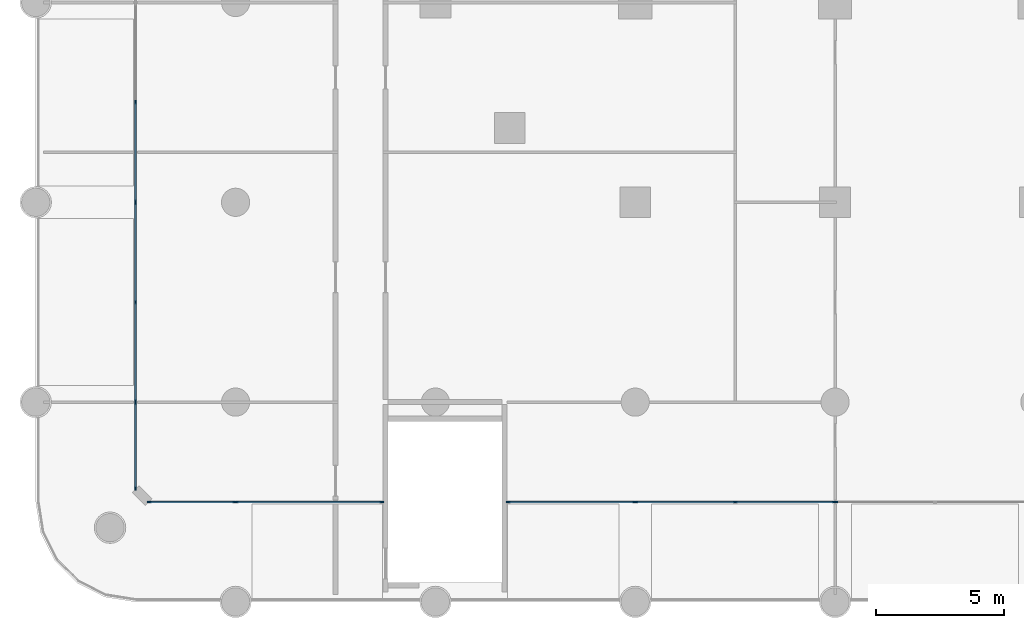
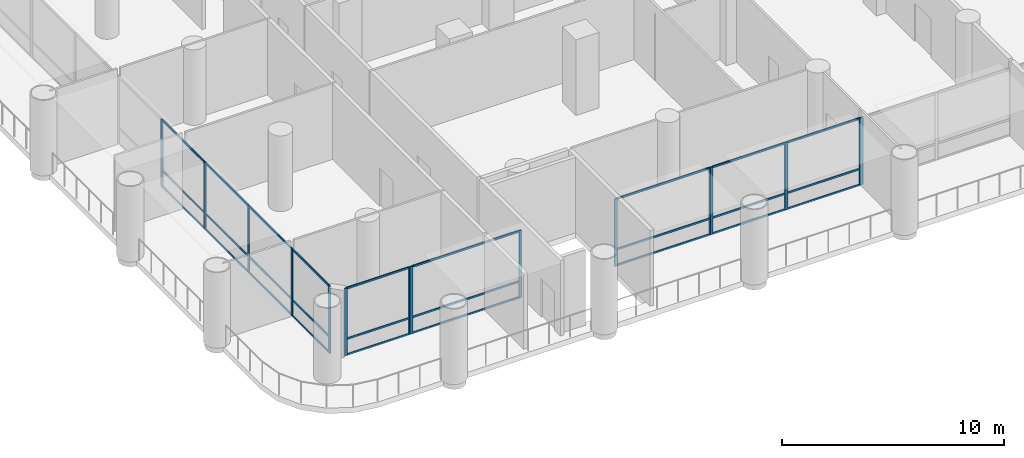
# One storey, part 2 of 23: 44 members, 8 elements without a shape of their own.
"""IFC4 building model written with IfcOpenShell, lengths in metres."""

from ifc_helpers import new_model, si_unit, direction, frame, origin, origin_2d, place, context, subcontext, project, spatial, rectangle, extrude, material, material_profile, profile_set, type_object, element, aggregate, save


model = new_model("IFC4")

# Units and contexts
model_context = context("Model", 3, precision=1e-05, world=origin(), true_north=direction((0.0, 1.0)))
body_context = subcontext(model_context, "Body", "Model", "MODEL_VIEW")
ifc_project = project(units=[si_unit("LENGTHUNIT", "METRE"), si_unit("AREAUNIT", "SQUARE_METRE"), si_unit("VOLUMEUNIT", "CUBIC_METRE"), si_unit("PLANEANGLEUNIT", "RADIAN"), si_unit("MASSUNIT", "GRAM", prefix="KILO")], contexts=[model_context])

# Site, building, storey
site_placement = place(None, origin())
site = spatial("IfcSite", under=ifc_project, at=site_placement, CompositionType="ELEMENT")
building_placement = place(site_placement, origin())
building = spatial("IfcBuilding", under=site, at=building_placement, Name="Ludao Terraces", CompositionType="ELEMENT")
storey_placement = place(building_placement, frame((0.0, 0.0, 10.5)))
storey = spatial("IfcBuildingStorey", under=building, at=storey_placement, Name="L02", CompositionType="ELEMENT", Elevation=10.5)

# Curtain wall, members
ifc_material_1 = material(Name="Aluminium curtain wall with fritted glass", Category="aluminium")
curtain_wall_type = type_object("IfcCurtainWallType", Name="ENV CW1 podium glazing", PredefinedType="NOTDEFINED", material=ifc_material_1)
curtain_wall_1_placement = place(storey_placement, origin())
curtain_wall_1 = element("IfcCurtainWall", 1, at=curtain_wall_1_placement, inside=storey, type_object=curtain_wall_type, Name="CW-L02-S1", PredefinedType="NOTDEFINED")
ifc_material_2 = material(Name="Aluminium 6063-T6", Category="aluminium")
ifc_material_profile_1 = material_profile(ifc_material_2, rectangle(XDim=0.06005859375, YDim=0.14990234375, at=origin_2d()), Name="60 X 150")
ifc_profile_set_1 = profile_set([ifc_material_profile_1], Name="Aluminium 6063-T6")
member_type_1 = type_object("IfcMemberType", Name="ENV CW1 mullion 60x150", PredefinedType="MULLION", material=ifc_profile_set_1)
member_1_placement = place(storey_placement, frame((50.429931640625, 29.89990234375, 0.0), z_axis=(0.0, 0.0, 1.0), x_axis=(0.0, 1.0, 0.0)))
member_1 = element("IfcMember", 2, at=member_1_placement, type_object=member_type_1, Name="CW1 mullion 1", PredefinedType="MULLION", context=body_context, shape_type="SweptSolid", body=[
    extrude(rectangle(XDim=0.06005859375, YDim=0.14990234375, at=origin_2d()), origin(), (0.0, 0.0, 1.0), 3.699951171875),
])
member_2_placement = place(storey_placement, frame((53.77001953125, 29.89990234375, 0.0), z_axis=(0.0, 0.0, 1.0), x_axis=(0.0, 1.0, 0.0)))
member_2 = element("IfcMember", 3, at=member_2_placement, type_object=member_type_1, Name="CW1 mullion 2", PredefinedType="MULLION", context=body_context, shape_type="SweptSolid", body=[
    extrude(rectangle(XDim=0.06005859375, YDim=0.14990234375, at=origin_2d()), origin(), (0.0, 0.0, 1.0), 3.699951171875),
])

curtain_wall_2_placement = place(storey_placement, origin())
curtain_wall_2 = element("IfcCurtainWall", 4, at=curtain_wall_2_placement, inside=storey, type_object=curtain_wall_type, Name="CW-L02-S2", PredefinedType="NOTDEFINED")
member_3_placement = place(storey_placement, frame((53.830078125, 29.89990234375, 0.0), z_axis=(0.0, 0.0, 1.0), x_axis=(0.0, 1.0, 0.0)))
member_3 = element("IfcMember", 5, at=member_3_placement, type_object=member_type_1, Name="CW1 mullion 1", PredefinedType="MULLION", context=body_context, shape_type="SweptSolid", body=[
    extrude(rectangle(XDim=0.06005859375, YDim=0.14990234375, at=origin_2d()), origin(), (0.0, 0.0, 1.0), 3.699951171875),
])
member_4_placement = place(storey_placement, frame((59.5, 29.89990234375, 0.0), z_axis=(0.0, 0.0, 1.0), x_axis=(0.0, 1.0, 0.0)))
member_4 = element("IfcMember", 6, at=member_4_placement, type_object=member_type_1, Name="CW1 mullion 2", PredefinedType="MULLION", context=body_context, shape_type="SweptSolid", body=[
    extrude(rectangle(XDim=0.06005859375, YDim=0.14990234375, at=origin_2d()), origin(), (0.0, 0.0, 1.0), 3.699951171875),
])

curtain_wall_3_placement = place(storey_placement, origin())
curtain_wall_3 = element("IfcCurtainWall", 7, at=curtain_wall_3_placement, inside=storey, type_object=curtain_wall_type, Name="CW-L02-S3", PredefinedType="NOTDEFINED")
member_5_placement = place(storey_placement, frame((64.449951171875, 29.89990234375, 0.0), z_axis=(0.0, 0.0, 1.0), x_axis=(0.0, 1.0, 0.0)))
member_5 = element("IfcMember", 8, at=member_5_placement, type_object=member_type_1, Name="CW1 mullion 1", PredefinedType="MULLION", context=body_context, shape_type="SweptSolid", body=[
    extrude(rectangle(XDim=0.06005859375, YDim=0.14990234375, at=origin_2d()), origin(), (0.0, 0.0, 1.0), 3.699951171875),
])
member_6_placement = place(storey_placement, frame((69.3701171875, 29.89990234375, 0.0), z_axis=(0.0, 0.0, 1.0), x_axis=(0.0, 1.0, 0.0)))
member_6 = element("IfcMember", 9, at=member_6_placement, type_object=member_type_1, Name="CW1 mullion 2", PredefinedType="MULLION", context=body_context, shape_type="SweptSolid", body=[
    extrude(rectangle(XDim=0.06005859375, YDim=0.14990234375, at=origin_2d()), origin(), (0.0, 0.0, 1.0), 3.699951171875),
])

curtain_wall_4_placement = place(storey_placement, origin())
curtain_wall_4 = element("IfcCurtainWall", 10, at=curtain_wall_4_placement, inside=storey, type_object=curtain_wall_type, Name="CW-L02-S4", PredefinedType="NOTDEFINED")
member_7_placement = place(storey_placement, frame((69.429931640625, 29.89990234375, 0.0), z_axis=(0.0, 0.0, 1.0), x_axis=(0.0, 1.0, 0.0)))
member_7 = element("IfcMember", 11, at=member_7_placement, type_object=member_type_1, Name="CW1 mullion 1", PredefinedType="MULLION", context=body_context, shape_type="SweptSolid", body=[
    extrude(rectangle(XDim=0.06005859375, YDim=0.14990234375, at=origin_2d()), origin(), (0.0, 0.0, 1.0), 3.699951171875),
])
member_8_placement = place(storey_placement, frame((73.300048828125, 29.89990234375, 0.0), z_axis=(0.0, 0.0, 1.0), x_axis=(0.0, 1.0, 0.0)))
member_8 = element("IfcMember", 12, at=member_8_placement, type_object=member_type_1, Name="CW1 mullion 2", PredefinedType="MULLION", context=body_context, shape_type="SweptSolid", body=[
    extrude(rectangle(XDim=0.06005859375, YDim=0.14990234375, at=origin_2d()), origin(), (0.0, 0.0, 1.0), 3.699951171875),
])
member_9_placement = place(storey_placement, frame((77.169921875, 29.89990234375, 0.0), z_axis=(0.0, 0.0, 1.0), x_axis=(0.0, 1.0, 0.0)))
member_9 = element("IfcMember", 13, at=member_9_placement, type_object=member_type_1, Name="CW1 mullion 3", PredefinedType="MULLION", context=body_context, shape_type="SweptSolid", body=[
    extrude(rectangle(XDim=0.06005859375, YDim=0.14990234375, at=origin_2d()), origin(), (0.0, 0.0, 1.0), 3.699951171875),
])

# Curtain wall, member
curtain_wall_5_placement = place(storey_placement, origin())
curtain_wall_5 = element("IfcCurtainWall", 14, at=curtain_wall_5_placement, inside=storey, type_object=curtain_wall_type, Name="CW-L02-S5", PredefinedType="NOTDEFINED")
member_10_placement = place(storey_placement, frame((77.22998046875, 29.89990234375, 0.0), z_axis=(0.0, 0.0, 1.0), x_axis=(0.0, 1.0, 0.0)))
member_10 = element("IfcMember", 15, at=member_10_placement, type_object=member_type_1, Name="CW1 mullion 1", PredefinedType="MULLION", context=body_context, shape_type="SweptSolid", body=[
    extrude(rectangle(XDim=0.06005859375, YDim=0.14990234375, at=origin_2d()), origin(), (0.0, 0.0, 1.0), 3.699951171875),
])
aggregate(curtain_wall_5, [member_10])

# Curtain wall, members
curtain_wall_6_placement = place(storey_placement, origin())
curtain_wall_6 = element("IfcCurtainWall", 16, at=curtain_wall_6_placement, inside=storey, type_object=curtain_wall_type, Name="CW-L02-W1", PredefinedType="NOTDEFINED")
member_11_placement = place(storey_placement, frame((49.89990234375, 30.429931640625, 0.0), z_axis=(0.0, 0.0, 1.0), x_axis=(-1.0, 0.0, 0.0)))
member_11 = element("IfcMember", 17, at=member_11_placement, type_object=member_type_1, Name="CW1 mullion 1", PredefinedType="MULLION", context=body_context, shape_type="SweptSolid", body=[
    extrude(rectangle(XDim=0.06005859375, YDim=0.14990234375, at=origin_2d()), origin(), (0.0, 0.0, 1.0), 3.699951171875),
])
member_12_placement = place(storey_placement, frame((49.89990234375, 33.77001953125, 0.0), z_axis=(0.0, 0.0, 1.0), x_axis=(-1.0, 0.0, 0.0)))
member_12 = element("IfcMember", 18, at=member_12_placement, type_object=member_type_1, Name="CW1 mullion 2", PredefinedType="MULLION", context=body_context, shape_type="SweptSolid", body=[
    extrude(rectangle(XDim=0.06005859375, YDim=0.14990234375, at=origin_2d()), origin(), (0.0, 0.0, 1.0), 3.699951171875),
])

curtain_wall_7_placement = place(storey_placement, origin())
curtain_wall_7 = element("IfcCurtainWall", 19, at=curtain_wall_7_placement, inside=storey, type_object=curtain_wall_type, Name="CW-L02-W2", PredefinedType="NOTDEFINED")
member_13_placement = place(storey_placement, frame((49.89990234375, 33.830078125, 0.0), z_axis=(0.0, 0.0, 1.0), x_axis=(-1.0, 0.0, 0.0)))
member_13 = element("IfcMember", 20, at=member_13_placement, type_object=member_type_1, Name="CW1 mullion 1", PredefinedType="MULLION", context=body_context, shape_type="SweptSolid", body=[
    extrude(rectangle(XDim=0.06005859375, YDim=0.14990234375, at=origin_2d()), origin(), (0.0, 0.0, 1.0), 3.699951171875),
])
member_14_placement = place(storey_placement, frame((49.89990234375, 37.699951171875, 0.0), z_axis=(0.0, 0.0, 1.0), x_axis=(-1.0, 0.0, 0.0)))
member_14 = element("IfcMember", 21, at=member_14_placement, type_object=member_type_1, Name="CW1 mullion 2", PredefinedType="MULLION", context=body_context, shape_type="SweptSolid", body=[
    extrude(rectangle(XDim=0.06005859375, YDim=0.14990234375, at=origin_2d()), origin(), (0.0, 0.0, 1.0), 3.699951171875),
])
member_15_placement = place(storey_placement, frame((49.89990234375, 41.570068359375, 0.0), z_axis=(0.0, 0.0, 1.0), x_axis=(-1.0, 0.0, 0.0)))
member_15 = element("IfcMember", 22, at=member_15_placement, type_object=member_type_1, Name="CW1 mullion 3", PredefinedType="MULLION", context=body_context, shape_type="SweptSolid", body=[
    extrude(rectangle(XDim=0.06005859375, YDim=0.14990234375, at=origin_2d()), origin(), (0.0, 0.0, 1.0), 3.699951171875),
])

curtain_wall_8_placement = place(storey_placement, origin())
curtain_wall_8 = element("IfcCurtainWall", 23, at=curtain_wall_8_placement, inside=storey, type_object=curtain_wall_type, Name="CW-L02-W3", PredefinedType="NOTDEFINED")
member_16_placement = place(storey_placement, frame((49.89990234375, 41.6298828125, 0.0), z_axis=(0.0, 0.0, 1.0), x_axis=(-1.0, 0.0, 0.0)))
member_16 = element("IfcMember", 24, at=member_16_placement, type_object=member_type_1, Name="CW1 mullion 1", PredefinedType="MULLION", context=body_context, shape_type="SweptSolid", body=[
    extrude(rectangle(XDim=0.06005859375, YDim=0.14990234375, at=origin_2d()), origin(), (0.0, 0.0, 1.0), 3.699951171875),
])
member_17_placement = place(storey_placement, frame((49.89990234375, 45.5, 0.0), z_axis=(0.0, 0.0, 1.0), x_axis=(-1.0, 0.0, 0.0)))
member_17 = element("IfcMember", 25, at=member_17_placement, type_object=member_type_1, Name="CW1 mullion 2", PredefinedType="MULLION", context=body_context, shape_type="SweptSolid", body=[
    extrude(rectangle(XDim=0.06005859375, YDim=0.14990234375, at=origin_2d()), origin(), (0.0, 0.0, 1.0), 3.699951171875),
])

# Member
ifc_material_profile_2 = material_profile(ifc_material_2, rectangle(XDim=0.06005859375, YDim=0.10009765625, at=origin_2d()), Name="60 X 100")
ifc_profile_set_2 = profile_set([ifc_material_profile_2], Name="Aluminium 6063-T6")
member_type_2 = type_object("IfcMemberType", Name="ENV CW1 transom 60x100", PredefinedType="USERDEFINED", material=ifc_profile_set_2)
member_18_placement = place(storey_placement, frame((50.4599609375, 29.89990234375, 0.030029296875), z_axis=(1.0, 0.0, 0.0), x_axis=(0.0, 1.0, 0.0)))
member_18 = element("IfcMember", 26, at=member_18_placement, type_object=member_type_2, Name="CW1 transom 1.1", ObjectType="TRANSOM", PredefinedType="USERDEFINED", context=body_context, shape_type="SweptSolid", body=[
    extrude(rectangle(XDim=0.06005859375, YDim=0.10009765625, at=origin_2d()), origin(), (0.0, 0.0, 1.0), 3.280029296875),
])

member_19_placement = place(storey_placement, frame((50.4599609375, 29.89990234375, 0.89990234375), z_axis=(1.0, 0.0, 0.0), x_axis=(0.0, 1.0, 0.0)))
member_19 = element("IfcMember", 27, at=member_19_placement, type_object=member_type_2, Name="CW1 transom 1.2", ObjectType="TRANSOM", PredefinedType="USERDEFINED", context=body_context, shape_type="SweptSolid", body=[
    extrude(rectangle(XDim=0.06005859375, YDim=0.10009765625, at=origin_2d()), origin(), (0.0, 0.0, 1.0), 3.280029296875),
])

member_20_placement = place(storey_placement, frame((50.4599609375, 29.89990234375, 3.669921875), z_axis=(1.0, 0.0, 0.0), x_axis=(0.0, 1.0, 0.0)))
member_20 = element("IfcMember", 28, at=member_20_placement, type_object=member_type_2, Name="CW1 transom 1.3", ObjectType="TRANSOM", PredefinedType="USERDEFINED", context=body_context, shape_type="SweptSolid", body=[
    extrude(rectangle(XDim=0.06005859375, YDim=0.10009765625, at=origin_2d()), origin(), (0.0, 0.0, 1.0), 3.280029296875),
])

aggregate(curtain_wall_1, [member_1, member_2, member_18, member_19, member_20])

member_21_placement = place(storey_placement, frame((53.860107421875, 29.89990234375, 0.030029296875), z_axis=(1.0, 0.0, 0.0), x_axis=(0.0, 1.0, 0.0)))
member_21 = element("IfcMember", 29, at=member_21_placement, type_object=member_type_2, Name="CW1 transom 1.1", ObjectType="TRANSOM", PredefinedType="USERDEFINED", context=body_context, shape_type="SweptSolid", body=[
    extrude(rectangle(XDim=0.06005859375, YDim=0.10009765625, at=origin_2d()), origin(), (0.0, 0.0, 1.0), 5.60986328125),
])

member_22_placement = place(storey_placement, frame((53.860107421875, 29.89990234375, 0.89990234375), z_axis=(1.0, 0.0, 0.0), x_axis=(0.0, 1.0, 0.0)))
member_22 = element("IfcMember", 30, at=member_22_placement, type_object=member_type_2, Name="CW1 transom 1.2", ObjectType="TRANSOM", PredefinedType="USERDEFINED", context=body_context, shape_type="SweptSolid", body=[
    extrude(rectangle(XDim=0.06005859375, YDim=0.10009765625, at=origin_2d()), origin(), (0.0, 0.0, 1.0), 5.60986328125),
])

member_23_placement = place(storey_placement, frame((53.860107421875, 29.89990234375, 3.669921875), z_axis=(1.0, 0.0, 0.0), x_axis=(0.0, 1.0, 0.0)))
member_23 = element("IfcMember", 31, at=member_23_placement, type_object=member_type_2, Name="CW1 transom 1.3", ObjectType="TRANSOM", PredefinedType="USERDEFINED", context=body_context, shape_type="SweptSolid", body=[
    extrude(rectangle(XDim=0.06005859375, YDim=0.10009765625, at=origin_2d()), origin(), (0.0, 0.0, 1.0), 5.60986328125),
])

aggregate(curtain_wall_2, [member_3, member_4, member_21, member_22, member_23])

member_24_placement = place(storey_placement, frame((64.47998046875, 29.89990234375, 0.030029296875), z_axis=(1.0, 0.0, 0.0), x_axis=(0.0, 1.0, 0.0)))
member_24 = element("IfcMember", 32, at=member_24_placement, type_object=member_type_2, Name="CW1 transom 1.1", ObjectType="TRANSOM", PredefinedType="USERDEFINED", context=body_context, shape_type="SweptSolid", body=[
    extrude(rectangle(XDim=0.06005859375, YDim=0.10009765625, at=origin_2d()), origin(), (0.0, 0.0, 1.0), 4.860107421875),
])

member_25_placement = place(storey_placement, frame((64.47998046875, 29.89990234375, 0.89990234375), z_axis=(1.0, 0.0, 0.0), x_axis=(0.0, 1.0, 0.0)))
member_25 = element("IfcMember", 33, at=member_25_placement, type_object=member_type_2, Name="CW1 transom 1.2", ObjectType="TRANSOM", PredefinedType="USERDEFINED", context=body_context, shape_type="SweptSolid", body=[
    extrude(rectangle(XDim=0.06005859375, YDim=0.10009765625, at=origin_2d()), origin(), (0.0, 0.0, 1.0), 4.860107421875),
])

member_26_placement = place(storey_placement, frame((64.47998046875, 29.89990234375, 3.669921875), z_axis=(1.0, 0.0, 0.0), x_axis=(0.0, 1.0, 0.0)))
member_26 = element("IfcMember", 34, at=member_26_placement, type_object=member_type_2, Name="CW1 transom 1.3", ObjectType="TRANSOM", PredefinedType="USERDEFINED", context=body_context, shape_type="SweptSolid", body=[
    extrude(rectangle(XDim=0.06005859375, YDim=0.10009765625, at=origin_2d()), origin(), (0.0, 0.0, 1.0), 4.860107421875),
])

aggregate(curtain_wall_3, [member_5, member_6, member_24, member_25, member_26])

member_27_placement = place(storey_placement, frame((69.4599609375, 29.89990234375, 0.030029296875), z_axis=(1.0, 0.0, 0.0), x_axis=(0.0, 1.0, 0.0)))
member_27 = element("IfcMember", 35, at=member_27_placement, type_object=member_type_2, Name="CW1 transom 1.1", ObjectType="TRANSOM", PredefinedType="USERDEFINED", context=body_context, shape_type="SweptSolid", body=[
    extrude(rectangle(XDim=0.06005859375, YDim=0.10009765625, at=origin_2d()), origin(), (0.0, 0.0, 1.0), 3.81005859375),
])

member_28_placement = place(storey_placement, frame((69.4599609375, 29.89990234375, 0.89990234375), z_axis=(1.0, 0.0, 0.0), x_axis=(0.0, 1.0, 0.0)))
member_28 = element("IfcMember", 36, at=member_28_placement, type_object=member_type_2, Name="CW1 transom 1.2", ObjectType="TRANSOM", PredefinedType="USERDEFINED", context=body_context, shape_type="SweptSolid", body=[
    extrude(rectangle(XDim=0.06005859375, YDim=0.10009765625, at=origin_2d()), origin(), (0.0, 0.0, 1.0), 3.81005859375),
])

member_29_placement = place(storey_placement, frame((69.4599609375, 29.89990234375, 3.669921875), z_axis=(1.0, 0.0, 0.0), x_axis=(0.0, 1.0, 0.0)))
member_29 = element("IfcMember", 37, at=member_29_placement, type_object=member_type_2, Name="CW1 transom 1.3", ObjectType="TRANSOM", PredefinedType="USERDEFINED", context=body_context, shape_type="SweptSolid", body=[
    extrude(rectangle(XDim=0.06005859375, YDim=0.10009765625, at=origin_2d()), origin(), (0.0, 0.0, 1.0), 3.81005859375),
])

member_30_placement = place(storey_placement, frame((73.330078125, 29.89990234375, 0.030029296875), z_axis=(1.0, 0.0, 0.0), x_axis=(0.0, 1.0, 0.0)))
member_30 = element("IfcMember", 38, at=member_30_placement, type_object=member_type_2, Name="CW1 transom 2.1", ObjectType="TRANSOM", PredefinedType="USERDEFINED", context=body_context, shape_type="SweptSolid", body=[
    extrude(rectangle(XDim=0.06005859375, YDim=0.10009765625, at=origin_2d()), origin(), (0.0, 0.0, 1.0), 3.809814453125),
])

member_31_placement = place(storey_placement, frame((73.330078125, 29.89990234375, 0.89990234375), z_axis=(1.0, 0.0, 0.0), x_axis=(0.0, 1.0, 0.0)))
member_31 = element("IfcMember", 39, at=member_31_placement, type_object=member_type_2, Name="CW1 transom 2.2", ObjectType="TRANSOM", PredefinedType="USERDEFINED", context=body_context, shape_type="SweptSolid", body=[
    extrude(rectangle(XDim=0.06005859375, YDim=0.10009765625, at=origin_2d()), origin(), (0.0, 0.0, 1.0), 3.809814453125),
])

member_32_placement = place(storey_placement, frame((73.330078125, 29.89990234375, 3.669921875), z_axis=(1.0, 0.0, 0.0), x_axis=(0.0, 1.0, 0.0)))
member_32 = element("IfcMember", 40, at=member_32_placement, type_object=member_type_2, Name="CW1 transom 2.3", ObjectType="TRANSOM", PredefinedType="USERDEFINED", context=body_context, shape_type="SweptSolid", body=[
    extrude(rectangle(XDim=0.06005859375, YDim=0.10009765625, at=origin_2d()), origin(), (0.0, 0.0, 1.0), 3.809814453125),
])

aggregate(curtain_wall_4, [member_7, member_8, member_9, member_27, member_28, member_29, member_30, member_31, member_32])

member_33_placement = place(storey_placement, frame((49.89990234375, 30.4599609375, 0.030029296875), z_axis=(0.0, 1.0, 0.0), x_axis=(-1.0, 0.0, 0.0)))
member_33 = element("IfcMember", 41, at=member_33_placement, type_object=member_type_2, Name="CW1 transom 1.1", ObjectType="TRANSOM", PredefinedType="USERDEFINED", context=body_context, shape_type="SweptSolid", body=[
    extrude(rectangle(XDim=0.06005859375, YDim=0.10009765625, at=origin_2d()), origin(), (0.0, 0.0, 1.0), 3.280029296875),
])

member_34_placement = place(storey_placement, frame((49.89990234375, 30.4599609375, 0.89990234375), z_axis=(0.0, 1.0, 0.0), x_axis=(-1.0, 0.0, 0.0)))
member_34 = element("IfcMember", 42, at=member_34_placement, type_object=member_type_2, Name="CW1 transom 1.2", ObjectType="TRANSOM", PredefinedType="USERDEFINED", context=body_context, shape_type="SweptSolid", body=[
    extrude(rectangle(XDim=0.06005859375, YDim=0.10009765625, at=origin_2d()), origin(), (0.0, 0.0, 1.0), 3.280029296875),
])

member_35_placement = place(storey_placement, frame((49.89990234375, 30.4599609375, 3.669921875), z_axis=(0.0, 1.0, 0.0), x_axis=(-1.0, 0.0, 0.0)))
member_35 = element("IfcMember", 43, at=member_35_placement, type_object=member_type_2, Name="CW1 transom 1.3", ObjectType="TRANSOM", PredefinedType="USERDEFINED", context=body_context, shape_type="SweptSolid", body=[
    extrude(rectangle(XDim=0.06005859375, YDim=0.10009765625, at=origin_2d()), origin(), (0.0, 0.0, 1.0), 3.280029296875),
])

aggregate(curtain_wall_6, [member_11, member_12, member_33, member_34, member_35])

member_36_placement = place(storey_placement, frame((49.89990234375, 33.860107421875, 0.030029296875), z_axis=(0.0, 1.0, 0.0), x_axis=(-1.0, 0.0, 0.0)))
member_36 = element("IfcMember", 44, at=member_36_placement, type_object=member_type_2, Name="CW1 transom 1.1", ObjectType="TRANSOM", PredefinedType="USERDEFINED", context=body_context, shape_type="SweptSolid", body=[
    extrude(rectangle(XDim=0.06005859375, YDim=0.10009765625, at=origin_2d()), origin(), (0.0, 0.0, 1.0), 3.809814453125),
])

member_37_placement = place(storey_placement, frame((49.89990234375, 33.860107421875, 0.89990234375), z_axis=(0.0, 1.0, 0.0), x_axis=(-1.0, 0.0, 0.0)))
member_37 = element("IfcMember", 45, at=member_37_placement, type_object=member_type_2, Name="CW1 transom 1.2", ObjectType="TRANSOM", PredefinedType="USERDEFINED", context=body_context, shape_type="SweptSolid", body=[
    extrude(rectangle(XDim=0.06005859375, YDim=0.10009765625, at=origin_2d()), origin(), (0.0, 0.0, 1.0), 3.809814453125),
])

member_38_placement = place(storey_placement, frame((49.89990234375, 33.860107421875, 3.669921875), z_axis=(0.0, 1.0, 0.0), x_axis=(-1.0, 0.0, 0.0)))
member_38 = element("IfcMember", 46, at=member_38_placement, type_object=member_type_2, Name="CW1 transom 1.3", ObjectType="TRANSOM", PredefinedType="USERDEFINED", context=body_context, shape_type="SweptSolid", body=[
    extrude(rectangle(XDim=0.06005859375, YDim=0.10009765625, at=origin_2d()), origin(), (0.0, 0.0, 1.0), 3.809814453125),
])

member_39_placement = place(storey_placement, frame((49.89990234375, 37.72998046875, 0.030029296875), z_axis=(0.0, 1.0, 0.0), x_axis=(-1.0, 0.0, 0.0)))
member_39 = element("IfcMember", 47, at=member_39_placement, type_object=member_type_2, Name="CW1 transom 2.1", ObjectType="TRANSOM", PredefinedType="USERDEFINED", context=body_context, shape_type="SweptSolid", body=[
    extrude(rectangle(XDim=0.06005859375, YDim=0.10009765625, at=origin_2d()), origin(), (0.0, 0.0, 1.0), 3.81005859375),
])

member_40_placement = place(storey_placement, frame((49.89990234375, 37.72998046875, 0.89990234375), z_axis=(0.0, 1.0, 0.0), x_axis=(-1.0, 0.0, 0.0)))
member_40 = element("IfcMember", 48, at=member_40_placement, type_object=member_type_2, Name="CW1 transom 2.2", ObjectType="TRANSOM", PredefinedType="USERDEFINED", context=body_context, shape_type="SweptSolid", body=[
    extrude(rectangle(XDim=0.06005859375, YDim=0.10009765625, at=origin_2d()), origin(), (0.0, 0.0, 1.0), 3.81005859375),
])

member_41_placement = place(storey_placement, frame((49.89990234375, 37.72998046875, 3.669921875), z_axis=(0.0, 1.0, 0.0), x_axis=(-1.0, 0.0, 0.0)))
member_41 = element("IfcMember", 49, at=member_41_placement, type_object=member_type_2, Name="CW1 transom 2.3", ObjectType="TRANSOM", PredefinedType="USERDEFINED", context=body_context, shape_type="SweptSolid", body=[
    extrude(rectangle(XDim=0.06005859375, YDim=0.10009765625, at=origin_2d()), origin(), (0.0, 0.0, 1.0), 3.81005859375),
])

aggregate(curtain_wall_7, [member_13, member_14, member_15, member_36, member_37, member_38, member_39, member_40, member_41])

member_42_placement = place(storey_placement, frame((49.89990234375, 41.659912109375, 0.030029296875), z_axis=(0.0, 1.0, 0.0), x_axis=(-1.0, 0.0, 0.0)))
member_42 = element("IfcMember", 50, at=member_42_placement, type_object=member_type_2, Name="CW1 transom 1.1", ObjectType="TRANSOM", PredefinedType="USERDEFINED", context=body_context, shape_type="SweptSolid", body=[
    extrude(rectangle(XDim=0.06005859375, YDim=0.10009765625, at=origin_2d()), origin(), (0.0, 0.0, 1.0), 3.81005859375),
])

member_43_placement = place(storey_placement, frame((49.89990234375, 41.659912109375, 0.89990234375), z_axis=(0.0, 1.0, 0.0), x_axis=(-1.0, 0.0, 0.0)))
member_43 = element("IfcMember", 51, at=member_43_placement, type_object=member_type_2, Name="CW1 transom 1.2", ObjectType="TRANSOM", PredefinedType="USERDEFINED", context=body_context, shape_type="SweptSolid", body=[
    extrude(rectangle(XDim=0.06005859375, YDim=0.10009765625, at=origin_2d()), origin(), (0.0, 0.0, 1.0), 3.81005859375),
])

member_44_placement = place(storey_placement, frame((49.89990234375, 41.659912109375, 3.669921875), z_axis=(0.0, 1.0, 0.0), x_axis=(-1.0, 0.0, 0.0)))
member_44 = element("IfcMember", 52, at=member_44_placement, type_object=member_type_2, Name="CW1 transom 1.3", ObjectType="TRANSOM", PredefinedType="USERDEFINED", context=body_context, shape_type="SweptSolid", body=[
    extrude(rectangle(XDim=0.06005859375, YDim=0.10009765625, at=origin_2d()), origin(), (0.0, 0.0, 1.0), 3.81005859375),
])

aggregate(curtain_wall_8, [member_16, member_17, member_42, member_43, member_44])

save(model, "model.ifc")
